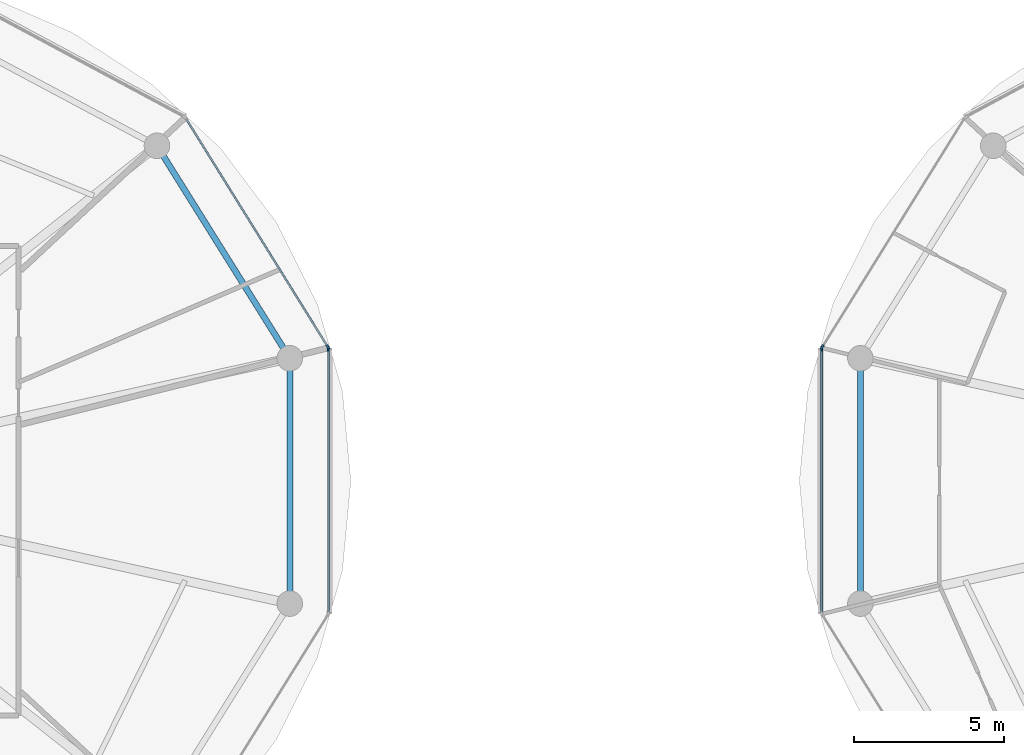
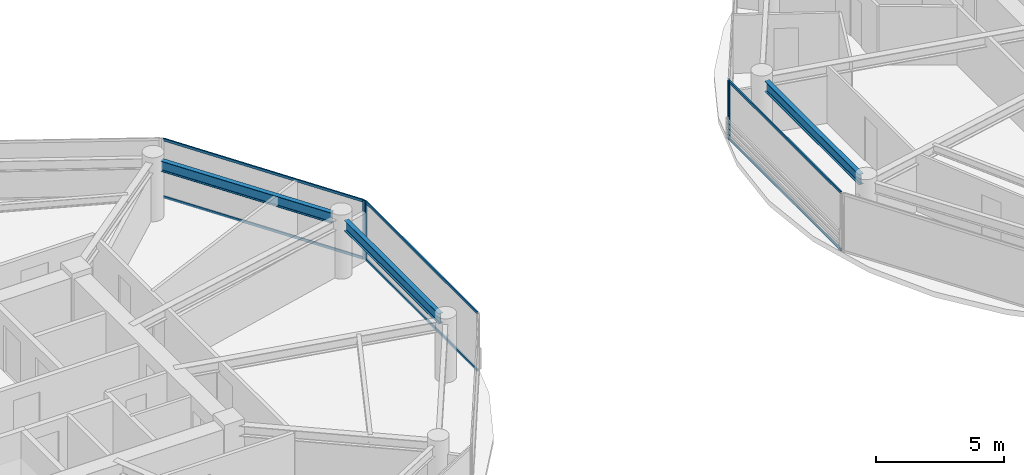
# One storey, part 7 of 22: 10 members, 3 beams, 4 elements without a shape of their own.
"""IFC4 building model written with IfcOpenShell, lengths in metres."""

from ifc_helpers import new_model, si_unit, direction, frame, origin, origin_2d, place, context, subcontext, project, spatial, rectangle, i_section, extrude, source, transform, mapped, material, layer, layer_set, material_profile, profile_set, type_object, type_shapes, element, aggregate, save


model = new_model("IFC4")

# Units and contexts
model_context = context("Model", 3, precision=1e-05, world=origin(), true_north=direction((0.0, 1.0)))
body_context = subcontext(model_context, "Body", "Model", "MODEL_VIEW")
ifc_project = project(units=[si_unit("LENGTHUNIT", "METRE"), si_unit("AREAUNIT", "SQUARE_METRE"), si_unit("VOLUMEUNIT", "CUBIC_METRE"), si_unit("PLANEANGLEUNIT", "RADIAN"), si_unit("MASSUNIT", "GRAM", prefix="KILO")], contexts=[model_context])

# Site, building, storey
site_placement = place(None, origin())
site = spatial("IfcSite", under=ifc_project, at=site_placement, CompositionType="ELEMENT")
building_placement = place(site_placement, origin())
building = spatial("IfcBuilding", under=site, at=building_placement, Name="Norrkilde Senior Care Towers", CompositionType="ELEMENT")
storey_placement = place(building_placement, frame((0.0, 0.0, 96.25)))
storey = spatial("IfcBuildingStorey", under=building, at=storey_placement, Name="L29", CompositionType="ELEMENT", Elevation=96.25)

# Beams
ifc_material_1 = material(Name="Steel S355", Category="steel")
ifc_material_profile_1 = material_profile(ifc_material_1, i_section(OverallWidth=0.199951171875, OverallDepth=0.5, WebThickness=0.01025390625, FlangeThickness=0.01611328125, FilletRadius=0.02099609375, at=origin_2d()), Name="IPE 500")
ifc_profile_set_1 = profile_set([ifc_material_profile_1], Name="Steel S355")
beam_type = type_object("IfcBeamType", Name="Perimeter Ring Spandrel Z2 IPE500", PredefinedType="SPANDREL", material=ifc_profile_set_1)
shared_shape_1 = source(origin(), body_context, "Body", "SweptSolid", [
    extrude(i_section(OverallWidth=0.199951171875, OverallDepth=0.5, WebThickness=0.01025390625, FlangeThickness=0.01611328125, FilletRadius=0.02099609375, at=origin_2d()), origin(), (0.0, 0.0, 1.0), 7.55615234375),
])
beam_placement = place(storey_placement, frame((-9.68505859375, 4.40283203125, 2.5400390625), z_axis=(-0.529981514254, 0.848009194849, 0.0), x_axis=(-0.848009194849, -0.529981514254, 0.0)))
element("IfcBeam", 1, at=beam_placement, inside=storey, type_object=beam_type, Name="L29 Drum W Perimeter Spandrel 01", PredefinedType="SPANDREL", context=body_context, shape_type="MappedRepresentation", body=[
    mapped(shared_shape_1, transform((0.0, 0.0, 0.0), x_axis=(1.0, 0.0, 0.0), y_axis=(0.0, 1.0, 0.0), z_axis=(0.0, 0.0, 1.0), scale=1.0)),
])
shared_shape_2 = source(origin(), body_context, "Body", "SweptSolid", [
    extrude(i_section(OverallWidth=0.199951171875, OverallDepth=0.5, WebThickness=0.01025390625, FlangeThickness=0.01611328125, FilletRadius=0.02099609375, at=origin_2d()), origin(), (0.0, 0.0, 1.0), 7.3828125),
])
type_shapes(beam_type, [shared_shape_1, shared_shape_2])
for number, where, z_axis, x_axis, name in (
    (2, (-9.48095703125, -3.69140625, 2.5400390625), (0.0, 1.0, 0.0), (-1.0, 0.0, 0.0), "L29 Drum W Perimeter Spandrel 12"),
    (3, (9.48095703125, 3.69140625, 2.5400390625), (0.0, -1.0, 0.0), (1.0, 0.0, 0.0), "L29 Drum E Perimeter Spandrel 06"),
):
    element("IfcBeam", number, at=place(storey_placement, frame(where, z_axis=z_axis, x_axis=x_axis)), inside=storey, type_object=beam_type, Name=name, PredefinedType="SPANDREL", context=body_context, shape_type="MappedRepresentation", body=[
        mapped(shared_shape_2, transform((0.0, 0.0, 0.0), x_axis=(1.0, 0.0, 0.0), y_axis=(0.0, 1.0, 0.0), z_axis=(0.0, 0.0, 1.0), scale=1.0)),
    ])

# Curtain wall, member
ifc_material_2 = material(Name="Triple Low-E Insulated Glazing", Category="glass")
ifc_layer = layer(ifc_material_2, 0.195068359375)
ifc_layer_set = layer_set([ifc_layer], Name="Triple Low-E Insulated Glazing")
curtain_wall_type = type_object("IfcCurtainWallType", Name="CW3 Zone 2 Assisted Living Curtain Wall", PredefinedType="NOTDEFINED", material=ifc_layer_set)
curtain_wall_1_placement = place(storey_placement, origin())
curtain_wall_1 = element("IfcCurtainWall", 4, at=curtain_wall_1_placement, inside=storey, type_object=curtain_wall_type, Name="L29 Drum W Curtain Wall 00", PredefinedType="NOTDEFINED")
ifc_material_3 = material(Name="Anodised Aluminium", Category="aluminium")
ifc_material_profile_2 = material_profile(ifc_material_3, rectangle(XDim=0.06494140625, YDim=0.159912109375, at=origin_2d()), Name="ALU MULL 65x160")
ifc_profile_set_2 = profile_set([ifc_material_profile_2], Name="Anodised Aluminium")
member_type_1 = type_object("IfcMemberType", Name="Curtain Wall Mullion Z1-Z2 65x160", PredefinedType="MULLION", material=ifc_profile_set_2)
shared_shape_3 = source(origin(), body_context, "Body", "SweptSolid", [
    extrude(rectangle(XDim=0.06494140625, YDim=0.159912109375, at=origin_2d()), origin(), (0.0, 0.0, 1.0), 2.7900390625),
])
type_shapes(member_type_1, [shared_shape_3])
member_1_placement = place(storey_placement, frame((-8.21337890625, 4.4482421875, 0.0), z_axis=(0.0, 0.0, 1.0), x_axis=(0.849410171862, 0.527733228002, 0.0)))
member_1 = element("IfcMember", 5, at=member_1_placement, type_object=member_type_1, Name="CW-3 mullion 2", PredefinedType="MULLION", context=body_context, shape_type="MappedRepresentation", body=[
    mapped(shared_shape_3, transform((0.0, 0.0, 0.0), x_axis=(1.0, 0.0, 0.0), y_axis=(0.0, 1.0, 0.0), z_axis=(0.0, 0.0, 1.0), scale=1.0)),
])

curtain_wall_2_placement = place(storey_placement, origin())
curtain_wall_2 = element("IfcCurtainWall", 6, at=curtain_wall_2_placement, inside=storey, type_object=curtain_wall_type, Name="L29 Drum W Curtain Wall 11", PredefinedType="NOTDEFINED")
member_2_placement = place(storey_placement, frame((-8.1962890625, 4.38818359375, 0.0), z_axis=(0.0, 0.0, 1.0), x_axis=(1.0, 0.0, 0.0)))
member_2 = element("IfcMember", 7, at=member_2_placement, type_object=member_type_1, Name="CW-3 mullion 1", PredefinedType="MULLION", context=body_context, shape_type="MappedRepresentation", body=[
    mapped(shared_shape_3, transform((0.0, 0.0, 0.0), x_axis=(1.0, 0.0, 0.0), y_axis=(0.0, 1.0, 0.0), z_axis=(0.0, 0.0, 1.0), scale=1.0)),
])

curtain_wall_3_placement = place(storey_placement, origin())
curtain_wall_3 = element("IfcCurtainWall", 8, at=curtain_wall_3_placement, inside=storey, type_object=curtain_wall_type, Name="L29 Drum E Curtain Wall 04", PredefinedType="NOTDEFINED")
member_3_placement = place(storey_placement, frame((8.21337890625, 4.4482421875, 0.0), z_axis=(0.0, 0.0, 1.0), x_axis=(-0.849410171862, 0.527733228002, 0.0)))
member_3 = element("IfcMember", 9, at=member_3_placement, type_object=member_type_1, Name="CW-3 mullion 1", PredefinedType="MULLION", context=body_context, shape_type="MappedRepresentation", body=[
    mapped(shared_shape_3, transform((0.0, 0.0, 0.0), x_axis=(1.0, 0.0, 0.0), y_axis=(0.0, 1.0, 0.0), z_axis=(0.0, 0.0, 1.0), scale=1.0)),
])
aggregate(curtain_wall_3, [member_3])

curtain_wall_4_placement = place(storey_placement, origin())
curtain_wall_4 = element("IfcCurtainWall", 10, at=curtain_wall_4_placement, inside=storey, type_object=curtain_wall_type, Name="L29 Drum E Curtain Wall 05", PredefinedType="NOTDEFINED")
member_4_placement = place(storey_placement, frame((8.1962890625, 4.38818359375, 0.0), z_axis=(0.0, 0.0, 1.0), x_axis=(-1.0, 0.0, 0.0)))
member_4 = element("IfcMember", 11, at=member_4_placement, type_object=member_type_1, Name="CW-3 mullion 2", PredefinedType="MULLION", context=body_context, shape_type="MappedRepresentation", body=[
    mapped(shared_shape_3, transform((0.0, 0.0, 0.0), x_axis=(1.0, 0.0, 0.0), y_axis=(0.0, 1.0, 0.0), z_axis=(0.0, 0.0, 1.0), scale=1.0)),
])

# Member
ifc_material_profile_3 = material_profile(ifc_material_3, rectangle(XDim=0.06005859375, YDim=0.1201171875, at=origin_2d()), Name="ALU TRAN 60x120")
ifc_profile_set_3 = profile_set([ifc_material_profile_3], Name="Anodised Aluminium")
member_type_2 = type_object("IfcMemberType", Name="Curtain Wall Transom Typical 60x120", PredefinedType="USERDEFINED", material=ifc_profile_set_3)
shared_shape_4 = source(origin(), body_context, "Body", "SweptSolid", [
    extrude(rectangle(XDim=0.06005859375, YDim=0.1201171875, at=origin_2d()), origin(), (0.0, 0.0, 1.0), 8.88427734375),
])
member_5_placement = place(storey_placement, frame((-12.919189453125, 12.022216796875, 0.030029296875), z_axis=(0.527749293309, -0.849400190377, 0.0), x_axis=(0.849400190377, 0.527749293309, 0.0)))
member_5 = element("IfcMember", 12, at=member_5_placement, type_object=member_type_2, Name="CW-3 transom 1.1", ObjectType="TRANSOM", PredefinedType="USERDEFINED", context=body_context, shape_type="MappedRepresentation", body=[
    mapped(shared_shape_4, transform((0.0, 0.0, 0.0), x_axis=(1.0, 0.0, 0.0), y_axis=(0.0, 1.0, 0.0), z_axis=(0.0, 0.0, 1.0), scale=1.0)),
])

member_6_placement = place(storey_placement, frame((-12.919189453125, 12.022216796875, 2.760009765625), z_axis=(0.527749293309, -0.849400190377, 0.0), x_axis=(0.849400190377, 0.527749293309, 0.0)))
member_6 = element("IfcMember", 13, at=member_6_placement, type_object=member_type_2, Name="CW-3 transom 1.2", ObjectType="TRANSOM", PredefinedType="USERDEFINED", context=body_context, shape_type="MappedRepresentation", body=[
    mapped(shared_shape_4, transform((0.0, 0.0, 0.0), x_axis=(1.0, 0.0, 0.0), y_axis=(0.0, 1.0, 0.0), z_axis=(0.0, 0.0, 1.0), scale=1.0)),
])

aggregate(curtain_wall_1, [member_1, member_5, member_6])

shared_shape_5 = source(origin(), body_context, "Body", "SweptSolid", [
    extrude(rectangle(XDim=0.06005859375, YDim=0.1201171875, at=origin_2d()), origin(), (0.0, 0.0, 1.0), 8.71142578125),
])
type_shapes(member_type_2, [shared_shape_4, shared_shape_5])
member_7_placement = place(storey_placement, frame((-8.1962890625, 4.355712890625, 0.030029296875), z_axis=(0.0, -1.0, 0.0), x_axis=(1.0, 0.0, 0.0)))
member_7 = element("IfcMember", 14, at=member_7_placement, type_object=member_type_2, Name="CW-3 transom 1.1", ObjectType="TRANSOM", PredefinedType="USERDEFINED", context=body_context, shape_type="MappedRepresentation", body=[
    mapped(shared_shape_5, transform((0.0, 0.0, 0.0), x_axis=(1.0, 0.0, 0.0), y_axis=(0.0, 1.0, 0.0), z_axis=(0.0, 0.0, 1.0), scale=1.0)),
])

member_8_placement = place(storey_placement, frame((-8.1962890625, 4.355712890625, 2.760009765625), z_axis=(0.0, -1.0, 0.0), x_axis=(1.0, 0.0, 0.0)))
member_8 = element("IfcMember", 15, at=member_8_placement, type_object=member_type_2, Name="CW-3 transom 1.2", ObjectType="TRANSOM", PredefinedType="USERDEFINED", context=body_context, shape_type="MappedRepresentation", body=[
    mapped(shared_shape_5, transform((0.0, 0.0, 0.0), x_axis=(1.0, 0.0, 0.0), y_axis=(0.0, 1.0, 0.0), z_axis=(0.0, 0.0, 1.0), scale=1.0)),
])

aggregate(curtain_wall_2, [member_2, member_7, member_8])

member_9_placement = place(storey_placement, frame((8.1962890625, -4.355712890625, 0.030029296875), z_axis=(0.0, 1.0, 0.0), x_axis=(-1.0, 0.0, 0.0)))
member_9 = element("IfcMember", 16, at=member_9_placement, type_object=member_type_2, Name="CW-3 transom 1.1", ObjectType="TRANSOM", PredefinedType="USERDEFINED", context=body_context, shape_type="MappedRepresentation", body=[
    mapped(shared_shape_5, transform((0.0, 0.0, 0.0), x_axis=(1.0, 0.0, 0.0), y_axis=(0.0, 1.0, 0.0), z_axis=(0.0, 0.0, 1.0), scale=1.0)),
])

member_10_placement = place(storey_placement, frame((8.1962890625, -4.355712890625, 2.760009765625), z_axis=(0.0, 1.0, 0.0), x_axis=(-1.0, 0.0, 0.0)))
member_10 = element("IfcMember", 17, at=member_10_placement, type_object=member_type_2, Name="CW-3 transom 1.2", ObjectType="TRANSOM", PredefinedType="USERDEFINED", context=body_context, shape_type="MappedRepresentation", body=[
    mapped(shared_shape_5, transform((0.0, 0.0, 0.0), x_axis=(1.0, 0.0, 0.0), y_axis=(0.0, 1.0, 0.0), z_axis=(0.0, 0.0, 1.0), scale=1.0)),
])

aggregate(curtain_wall_4, [member_4, member_9, member_10])

save(model, "model.ifc")
